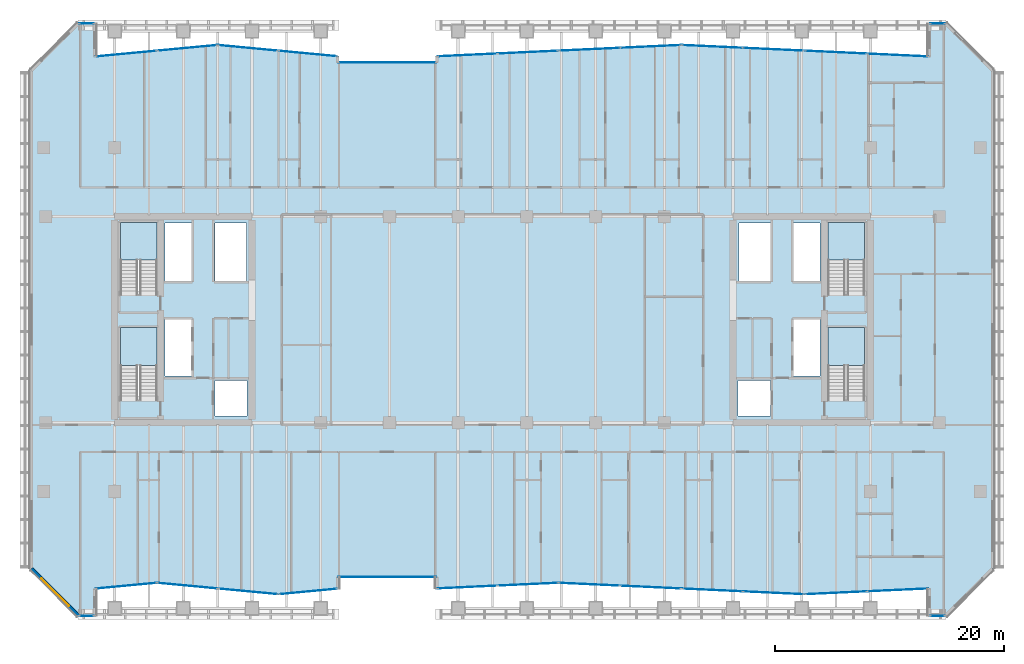
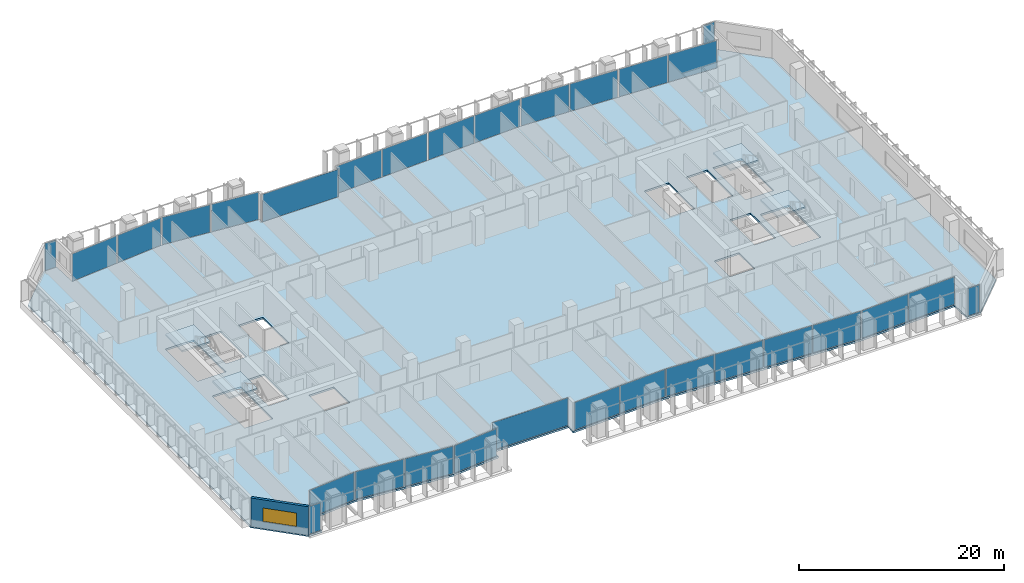
# One storey, part 19 of 32: 30 plates, 5 slabs, 1 wall, 1 window, 1 opening, 26 elements without a shape of their own.
"""IFC4 building model written with IfcOpenShell, lengths in metres."""

import ifcopenshell
import ifcopenshell.guid

model = None  # the IFC model being written
_history = None  # IfcOwnerHistory: only IFC2X3 demands one
_inside = {}  # id of a spatial element -> (the spatial element, [elements in it])
_under = {}  # id of a project, library or spatial element -> (it, [spatial elements below it])
_declared = {}  # id of a project -> (the project, [libraries it declares])
_typed = {}  # id of a type object -> (the type object, [elements of that type])
_made_of = {}  # id of a material, layer set ... -> (it, [elements and type objects made of it])


def new_model(schema):
    """Start an empty IFC model of exactly this schema.

    Asked for "IFC4X3", IfcOpenShell would pick the latest addendum, in which some entities
    have other attributes; the version numbers below select the first issue.
    IFC2X3 requires an IfcOwnerHistory on every rooted entity: one is made here for all.
    """
    global model, _history
    if schema == "IFC4X3":
        model = ifcopenshell.file(schema_version=(4, 3, 0, 0))
    else:
        model = ifcopenshell.file(schema=schema)
    _inside.clear()
    _under.clear()
    _declared.clear()
    _typed.clear()
    _made_of.clear()
    _history = None
    if model.schema == "IFC2X3":
        org = make("IfcOrganization", Name="unknown")
        user = make(
            "IfcPersonAndOrganization",
            ThePerson=make("IfcPerson", FamilyName="unknown"),
            TheOrganization=org,
        )
        app = make(
            "IfcApplication",
            ApplicationDeveloper=org,
            Version="unknown",
            ApplicationFullName="unknown",
            ApplicationIdentifier="unknown",
        )
        _history = make(
            "IfcOwnerHistory",
            OwningUser=user,
            OwningApplication=app,
            ChangeAction="ADDED",
            CreationDate=0,
        )
    return model


def make(cls, **values):
    """One entity of the class cls with the attributes given. An attribute that is None is left unset."""
    return model.create_entity(
        cls, **{name: value for name, value in values.items() if value is not None}
    )


def rooted(cls, **values):
    """An entity with a GlobalId (a new one), such as an element, a storey or a relation."""
    return make(cls, GlobalId=ifcopenshell.guid.new(), OwnerHistory=_history, **values)


def si_unit(unit_type, name, prefix=None):
    """IfcSIUnit, for example si_unit("LENGTHUNIT", "METRE", prefix="MILLI")."""
    return make("IfcSIUnit", UnitType=unit_type, Prefix=prefix, Name=name)


def assignment(units):
    """IfcUnitAssignment: the units of a project."""
    return None if units is None else make("IfcUnitAssignment", Units=units)


def point(xyz):
    """IfcCartesianPoint."""
    return None if xyz is None else make("IfcCartesianPoint", Coordinates=xyz)


def direction(xyz):
    """IfcDirection."""
    return None if xyz is None else make("IfcDirection", DirectionRatios=xyz)


def frame(location, z_axis=None, x_axis=None):
    """IfcAxis2Placement3D, a coordinate frame: its origin and axes. An axis left out is left unset."""
    return make(
        "IfcAxis2Placement3D",
        Location=point(location),
        Axis=direction(z_axis),
        RefDirection=direction(x_axis),
    )


def frame_2d(location, x_axis=None):
    """IfcAxis2Placement2D, a coordinate frame in the plane: its origin and x axis."""
    return make(
        "IfcAxis2Placement2D", Location=point(location), RefDirection=direction(x_axis)
    )


def origin():
    """The frame at (0, 0, 0) with its axes left unset."""
    return frame((0.0, 0.0, 0.0))


def origin_2d():
    """The frame at (0, 0) in the plane with its x axis left unset."""
    return frame_2d((0.0, 0.0))


def place(relative_to, where):
    """IfcLocalPlacement: puts the frame where relative to a parent placement (None: the world)."""
    return make(
        "IfcLocalPlacement", PlacementRelTo=relative_to, RelativePlacement=where
    )


def context(
    kind, dimensions, precision=None, world=None, true_north=None, identifier=None
):
    """IfcGeometricRepresentationContext, for example the 3D "Model" context."""
    return make(
        "IfcGeometricRepresentationContext",
        ContextIdentifier=identifier,
        ContextType=kind,
        CoordinateSpaceDimension=dimensions,
        Precision=precision,
        WorldCoordinateSystem=world,
        TrueNorth=true_north,
    )


def subcontext(parent, identifier, kind, view, scale=None):
    """IfcGeometricRepresentationSubContext, for example "Body" below "Model"."""
    return make(
        "IfcGeometricRepresentationSubContext",
        ContextIdentifier=identifier,
        ContextType=kind,
        ParentContext=parent,
        TargetScale=scale,
        TargetView=view,
    )


def project(units=None, contexts=None):
    """IfcProject with its units and contexts."""
    return rooted(
        "IfcProject",
        Name="project",
        RepresentationContexts=contexts,
        UnitsInContext=assignment(units),
    )


def spatial(cls, under=None, at=None, **own):
    """A site, building, storey or space (cls), placed at a placement, below another one or the project."""
    s = rooted(cls, ObjectPlacement=at, **own)
    if under is not None:
        _under.setdefault(under.id(), (under, []))[1].append(s)
    return s


def polyline(points):
    """IfcPolyline through the points."""
    return make("IfcPolyline", Points=[point(p) for p in points])


def profile(cls, at=None, kind="AREA", **sizes):
    """A parametric profile (cls). Its sizes go by their IFC names, for example OverallWidth=200.0."""
    return make(cls, ProfileType=kind, Position=at, **sizes)


def rectangle(**sizes):
    """IfcRectangleProfileDef."""
    return profile("IfcRectangleProfileDef", **sizes)


def outline(outer, holes=None, kind="AREA"):
    """IfcArbitraryClosedProfileDef: a profile drawn as a closed curve; with holes, ...WithVoids."""
    if holes is None:
        return make("IfcArbitraryClosedProfileDef", ProfileType=kind, OuterCurve=outer)
    return make(
        "IfcArbitraryProfileDefWithVoids",
        ProfileType=kind,
        OuterCurve=outer,
        InnerCurves=holes,
    )


def extrude(swept, where, along, depth):
    """IfcExtrudedAreaSolid: the profile swept, set in the frame where, extruded along a direction by depth."""
    return make(
        "IfcExtrudedAreaSolid",
        SweptArea=swept,
        Position=where,
        ExtrudedDirection=direction(along),
        Depth=depth,
    )


def shape(context_of_items, identifier, shape_type, items):
    """IfcShapeRepresentation: the items that make up one representation, for example the "Body"."""
    return make(
        "IfcShapeRepresentation",
        ContextOfItems=context_of_items,
        RepresentationIdentifier=identifier,
        RepresentationType=shape_type,
        Items=items,
    )


def material(Name=None, Category=None):
    """IfcMaterial."""
    return make("IfcMaterial", Name=Name, Category=Category)


def layer(
    of_material, thickness, ventilated=None, Name=None, Category=None, Priority=None
):
    """IfcMaterialLayer: one layer of a wall or slab, of a material (None: an air gap)."""
    return make(
        "IfcMaterialLayer",
        Material=of_material,
        LayerThickness=thickness,
        IsVentilated=ventilated,
        Name=Name,
        Category=Category,
        Priority=Priority,
    )


def layer_set(layers, Name=None):
    """IfcMaterialLayerSet."""
    return make("IfcMaterialLayerSet", MaterialLayers=layers, LayerSetName=Name)


def made_of(thing, what):
    """Note that an element or type object is made of a material, layer set ...; save() writes the relation."""
    if what is not None:
        _made_of.setdefault(what.id(), (what, []))[1].append(thing)
    return thing


def type_object(cls, material=None, **own):
    """A type object (cls), such as IfcWallType, which elements share."""
    return made_of(rooted(cls, **own), material)


def element(
    cls,
    number,
    at=None,
    inside=None,
    cuts=None,
    type_object=None,
    material=None,
    context=None,
    identifier="Body",
    shape_type=None,
    held_by="IfcProductDefinitionShape",
    body=None,
    shapes=None,
    **own,
):
    """One element of the class cls, such as IfcWall. Its Tag is "e" and its number.

    at: its placement. inside: the storey or other place that contains it. cuts: it is an
    opening in that element (IfcRelVoidsElement). A single representation is given by context,
    identifier, shape_type and body (its items); several are given by shapes. held_by: the class
    of the entity that holds the representations. save() writes the other relations.
    """
    e = rooted(cls, Tag="e%d" % number, ObjectPlacement=at, **own)
    if body is not None:
        shapes = [shape(context, identifier, shape_type, body)]
    if shapes is not None:
        e.Representation = make(held_by, Representations=shapes)
    if inside is not None:
        _inside.setdefault(inside.id(), (inside, []))[1].append(e)
    if cuts is not None:
        rooted(
            "IfcRelVoidsElement", RelatingBuildingElement=cuts, RelatedOpeningElement=e
        )
    if type_object is not None:
        _typed.setdefault(type_object.id(), (type_object, []))[1].append(e)
    return made_of(e, material)


def fill(opening, filler):
    """IfcRelFillsElement: the door or window that sits in an opening."""
    return rooted(
        "IfcRelFillsElement",
        RelatingOpeningElement=opening,
        RelatedBuildingElement=filler,
    )


def aggregate(whole, parts):
    """IfcRelAggregates: a whole, such as a stair, and the parts it consists of."""
    return rooted("IfcRelAggregates", RelatingObject=whole, RelatedObjects=parts)


def save(model, path):
    """Write the relations noted so far, then the file.

    IfcRelAggregates (storeys below a building ...), IfcRelContainedInSpatialStructure (elements
    in a storey), IfcRelDefinesByType, IfcRelAssociatesMaterial and IfcRelDeclares: one each for
    every whole, place, type object, material and project.
    """
    for whole, parts in _under.values():
        aggregate(whole, parts)
    for where, things in _inside.values():
        rooted(
            "IfcRelContainedInSpatialStructure",
            RelatedElements=things,
            RelatingStructure=where,
        )
    for kind, things in _typed.values():
        rooted("IfcRelDefinesByType", RelatedObjects=things, RelatingType=kind)
    for what, things in _made_of.values():
        rooted("IfcRelAssociatesMaterial", RelatedObjects=things, RelatingMaterial=what)
    for by, libraries in _declared.values():
        rooted("IfcRelDeclares", RelatingContext=by, RelatedDefinitions=libraries)
    model.write(path)


model = new_model("IFC4")

# Units and contexts
model_context = context("Model", 3, precision=1e-05, world=origin(), true_north=direction((0.0, 1.0)))
body_context = subcontext(model_context, "Body", "Model", "MODEL_VIEW")
ifc_project = project(units=[si_unit("LENGTHUNIT", "METRE"), si_unit("AREAUNIT", "SQUARE_METRE"), si_unit("VOLUMEUNIT", "CUBIC_METRE"), si_unit("PLANEANGLEUNIT", "RADIAN"), si_unit("MASSUNIT", "GRAM", prefix="KILO")], contexts=[model_context])

# Site, building, storey
site_placement = place(None, origin())
site = spatial("IfcSite", under=ifc_project, at=site_placement, CompositionType="ELEMENT")
building_placement = place(site_placement, origin())
building = spatial("IfcBuilding", under=site, at=building_placement, Name="Tanjung Sevakor Pilgrim Tower", CompositionType="ELEMENT")
storey_placement = place(building_placement, frame((0.0, 0.0, 62.3701171875)))
storey = spatial("IfcBuildingStorey", under=building, at=storey_placement, Name="L17", CompositionType="ELEMENT", Elevation=62.3701171875)

# Stair, slab
ifc_material_1 = material(Name="Concrete C40/50", Category="concrete")
stair_type = type_object("IfcStairType", Name="STAIR-ST-CR150", PredefinedType="HALF_TURN_STAIR", material=ifc_material_1)
stair_1_placement = place(storey_placement, origin())
stair_1 = element("IfcStair", 1, at=stair_1_placement, inside=storey, type_object=stair_type, Name="L17 West Core Exit Stair 1", PredefinedType="HALF_TURN_STAIR")
ifc_material_2 = material(Name="Concrete C40/50", Category="concrete")
ifc_layer_1 = layer(ifc_material_2, 0.199951171875)
ifc_layer_set_1 = layer_set([ifc_layer_1], Name="SL-LAND-200")
slab_type_1 = type_object("IfcSlabType", Name="SL-LAND-200", PredefinedType="LANDING", material=ifc_layer_set_1)
slab_1_placement = place(storey_placement, frame((0.0, 0.0, 1.614990234375)))
slab_1 = element("IfcSlab", 2, at=slab_1_placement, type_object=slab_type_1, Name="TS-W1 landing 1", PredefinedType="LANDING", context=body_context, shape_type="SweptSolid", body=[
    extrude(outline(polyline([(27.699951171875, 29.60009765625), (27.699951171875, 32.89990234375), (24.5, 32.89990234375), (24.5, 29.60009765625), (27.699951171875, 29.60009765625)])), origin(), (0.0, 0.0, 1.0), 0.199951171875),
])
aggregate(stair_1, [slab_1])

stair_2_placement = place(storey_placement, origin())
stair_2 = element("IfcStair", 3, at=stair_2_placement, inside=storey, type_object=stair_type, Name="L17 West Core Exit Stair 2", PredefinedType="HALF_TURN_STAIR")
slab_2_placement = place(storey_placement, frame((0.0, 0.0, 1.614990234375)))
slab_2 = element("IfcSlab", 4, at=slab_2_placement, type_object=slab_type_1, Name="TS-W2 landing 1", PredefinedType="LANDING", context=body_context, shape_type="SweptSolid", body=[
    extrude(outline(polyline([(27.699951171875, 38.800048828125), (27.699951171875, 42.10009765625), (24.5, 42.10009765625), (24.5, 38.800048828125), (27.699951171875, 38.800048828125)])), origin(), (0.0, 0.0, 1.0), 0.199951171875),
])
aggregate(stair_2, [slab_2])

stair_3_placement = place(storey_placement, origin())
stair_3 = element("IfcStair", 5, at=stair_3_placement, inside=storey, type_object=stair_type, Name="L17 East Core Exit Stair 1", PredefinedType="HALF_TURN_STAIR")
slab_3_placement = place(storey_placement, frame((0.0, 0.0, 1.614990234375)))
slab_3 = element("IfcSlab", 6, at=slab_3_placement, type_object=slab_type_1, Name="TS-E1 landing 1", PredefinedType="LANDING", context=body_context, shape_type="SweptSolid", body=[
    extrude(outline(polyline([(89.5, 29.60009765625), (89.5, 32.89990234375), (86.300048828125, 32.89990234375), (86.300048828125, 29.60009765625), (89.5, 29.60009765625)])), origin(), (0.0, 0.0, 1.0), 0.199951171875),
])
aggregate(stair_3, [slab_3])

stair_4_placement = place(storey_placement, origin())
stair_4 = element("IfcStair", 7, at=stair_4_placement, inside=storey, type_object=stair_type, Name="L17 East Core Exit Stair 2", PredefinedType="HALF_TURN_STAIR")
slab_4_placement = place(storey_placement, frame((0.0, 0.0, 1.614990234375)))
slab_4 = element("IfcSlab", 8, at=slab_4_placement, type_object=slab_type_1, Name="TS-E2 landing 1", PredefinedType="LANDING", context=body_context, shape_type="SweptSolid", body=[
    extrude(outline(polyline([(89.5, 38.800048828125), (89.5, 42.10009765625), (86.300048828125, 42.10009765625), (86.300048828125, 38.800048828125), (89.5, 38.800048828125)])), origin(), (0.0, 0.0, 1.0), 0.199951171875),
])
aggregate(stair_4, [slab_4])

# Slab
ifc_material_3 = material(Name="Concrete C40/50", Category="concrete")
ifc_layer_2 = layer(ifc_material_3, 0.219970703125)
ifc_layer_set_2 = layer_set([ifc_layer_2], Name="SL-TWR-220")
slab_type_2 = type_object("IfcSlabType", Name="SL-TWR-220", PredefinedType="FLOOR", material=ifc_layer_set_2)
slab_5_placement = place(storey_placement, frame((0.0, 0.0, -0.22021484375)))
element("IfcSlab", 9, at=slab_5_placement, inside=storey, type_object=slab_type_2, Name="L17 Floor Slab MAIN", PredefinedType="FLOOR", context=body_context, shape_type="SweptSolid", body=[
    extrude(outline(polyline([(20.846923828125, 7.679931640625), (22.320068359375, 7.679931640625), (22.39990234375, 10.06005859375), (27.699951171875, 10.56005859375), (33.0, 10.06005859375), (38.300048828125, 9.56005859375), (43.60009765625, 10.06005859375), (43.52001953125, 11.080078125), (52.080078125, 11.080078125), (52.0, 10.06005859375), (62.75, 10.56005859375), (73.5, 10.06005859375), (84.25, 9.56005859375), (95.0, 10.06005859375), (95.080078125, 7.679931640625), (96.552978515625, 7.679931640625), (100.719970703125, 11.846923828125), (100.719970703125, 55.35302734375), (96.552978515625, 59.52001953125), (95.080078125, 59.52001953125), (95.0, 56.639892578125), (84.25, 57.139892578125), (73.5, 57.639892578125), (62.75, 57.139892578125), (52.0, 56.639892578125), (52.080078125, 56.1201171875), (43.52001953125, 56.1201171875), (43.60009765625, 56.639892578125), (38.300048828125, 57.139892578125), (33.0, 57.639892578125), (27.699951171875, 57.139892578125), (22.39990234375, 56.639892578125), (22.320068359375, 59.52001953125), (20.846923828125, 59.52001953125), (16.679931640625, 55.35302734375), (16.679931640625, 11.846923828125), (20.846923828125, 7.679931640625)]), holes=[polyline([(27.699951171875, 26.60009765625), (27.699951171875, 32.89990234375), (24.5, 32.89990234375), (24.5, 26.60009765625), (27.699951171875, 26.60009765625)]), polyline([(27.699951171875, 35.800048828125), (27.699951171875, 42.10009765625), (24.5, 42.10009765625), (24.5, 35.800048828125), (27.699951171875, 35.800048828125)]), polyline([(89.5, 26.60009765625), (89.5, 32.89990234375), (86.300048828125, 32.89990234375), (86.300048828125, 26.60009765625), (89.5, 26.60009765625)]), polyline([(89.5, 35.800048828125), (89.5, 42.10009765625), (86.300048828125, 42.10009765625), (86.300048828125, 35.800048828125), (89.5, 35.800048828125)]), polyline([(32.75, 25.199951171875), (35.550048828125, 25.199951171875), (35.550048828125, 28.300048828125), (32.75, 28.300048828125), (32.75, 25.199951171875)]), polyline([(28.39990234375, 28.699951171875), (30.75, 28.699951171875), (30.75, 33.60009765625), (28.39990234375, 33.60009765625), (28.39990234375, 28.699951171875)]), polyline([(28.39990234375, 37.0), (30.75, 37.0), (30.75, 42.050048828125), (28.39990234375, 42.050048828125), (28.39990234375, 37.0)]), polyline([(32.75, 37.0), (35.5, 37.0), (35.5, 42.050048828125), (32.75, 42.050048828125), (32.75, 37.0)]), polyline([(78.449951171875, 25.199951171875), (81.25, 25.199951171875), (81.25, 28.300048828125), (78.449951171875, 28.300048828125), (78.449951171875, 25.199951171875)]), polyline([(83.25, 28.699951171875), (85.60009765625, 28.699951171875), (85.60009765625, 33.60009765625), (83.25, 33.60009765625), (83.25, 28.699951171875)]), polyline([(83.25, 37.0), (85.60009765625, 37.0), (85.60009765625, 42.050048828125), (83.25, 42.050048828125), (83.25, 37.0)]), polyline([(78.5, 37.0), (81.25, 37.0), (81.25, 42.050048828125), (78.5, 42.050048828125), (78.5, 37.0)])]), origin(), (0.0, 0.0, 1.0), 0.22021484375),
])

# Curtain wall, plate
ifc_material_4 = material(Name="Aluminium 6063-T6 and Low-E Glass", Category="aluminium")
ifc_layer_3 = layer(ifc_material_4, 0.179931640625)
ifc_layer_set_3 = layer_set([ifc_layer_3], Name="CW-SYS-CLEFT")
curtain_wall_type_1 = type_object("IfcCurtainWallType", Name="CW-SYS-CLEFT", PredefinedType="NOTDEFINED", material=ifc_layer_set_3)
curtain_wall_1_placement = place(storey_placement, origin())
curtain_wall_1 = element("IfcCurtainWall", 10, at=curtain_wall_1_placement, inside=storey, type_object=curtain_wall_type_1, Name="L17 Curtain Wall CW-CLF-L17-7", PredefinedType="NOTDEFINED")
ifc_material_5 = material(Name="Laminated Low-E Double Glazing", Category="glass")
ifc_layer_4 = layer(ifc_material_5, 0.028076171875)
ifc_layer_set_4 = layer_set([ifc_layer_4], Name="TYPE-CWP-GLZ1")
plate_type_1 = type_object("IfcPlateType", Name="TYPE-CWP-GLZ1", PredefinedType="CURTAIN_PANEL", material=ifc_layer_set_4)
plate_1_placement = place(storey_placement, frame((47.800048828125, 11.139892578125, 0.06494140625), z_axis=(0.0, 0.0, 1.0), x_axis=(1.0, 0.0, 0.0)))
plate_1 = element("IfcPlate", 11, at=plate_1_placement, type_object=plate_type_1, Name="CW-CLF panel 1.1", PredefinedType="CURTAIN_PANEL", context=body_context, shape_type="SweptSolid", body=[
    extrude(rectangle(XDim=8.530029296875, YDim=0.028076171875, at=origin_2d()), origin(), (0.0, 0.0, 1.0), 3.280029296875),
])
aggregate(curtain_wall_1, [plate_1])

curtain_wall_2_placement = place(storey_placement, origin())
curtain_wall_2 = element("IfcCurtainWall", 12, at=curtain_wall_2_placement, inside=storey, type_object=curtain_wall_type_1, Name="L17 Curtain Wall CW-CLF-L17-25", PredefinedType="NOTDEFINED")
plate_2_placement = place(storey_placement, frame((47.800048828125, 56.06005859375, 0.06494140625), z_axis=(0.0, 0.0, 1.0), x_axis=(-1.0, 0.0, 0.0)))
plate_2 = element("IfcPlate", 13, at=plate_2_placement, type_object=plate_type_1, Name="CW-CLF panel 1.1", PredefinedType="CURTAIN_PANEL", context=body_context, shape_type="SweptSolid", body=[
    extrude(rectangle(XDim=8.530029296875, YDim=0.028076171875, at=origin_2d()), origin(), (0.0, 0.0, 1.0), 3.280029296875),
])
aggregate(curtain_wall_2, [plate_2])

ifc_material_6 = material(Name="Aluminium 6063-T6 and Low-E Glass", Category="aluminium")
ifc_layer_5 = layer(ifc_material_6, 0.199951171875)
ifc_layer_set_5 = layer_set([ifc_layer_5], Name="CW-SYS-PRAY")
curtain_wall_type_2 = type_object("IfcCurtainWallType", Name="CW-SYS-PRAY", PredefinedType="NOTDEFINED", material=ifc_layer_set_5)
curtain_wall_3_placement = place(storey_placement, origin())
curtain_wall_3 = element("IfcCurtainWall", 14, at=curtain_wall_3_placement, inside=storey, type_object=curtain_wall_type_2, Name="L17 Curtain Wall CW-PRY-L17-0", PredefinedType="NOTDEFINED")
ifc_material_7 = material(Name="Solar-Control Low-E Acoustic Glazing", Category="glass")
ifc_layer_6 = layer(ifc_material_7, 0.031982421875)
ifc_layer_set_6 = layer_set([ifc_layer_6], Name="TYPE-CWP-GLZ2")
plate_type_2 = type_object("IfcPlateType", Name="TYPE-CWP-GLZ2", PredefinedType="CURTAIN_PANEL", material=ifc_layer_set_6)
plate_3_placement = place(storey_placement, frame((21.55908203125, 7.739990234375, 0.07470703125), z_axis=(0.0, 0.0, 1.0), x_axis=(1.0, 0.0, 0.0)))
plate_3 = element("IfcPlate", 15, at=plate_3_placement, type_object=plate_type_2, Name="CW-PRY panel 1.1", PredefinedType="CURTAIN_PANEL", context=body_context, shape_type="SweptSolid", body=[
    extrude(rectangle(XDim=1.251953125, YDim=0.031982421875, at=origin_2d()), origin(), (0.0, 0.0, 1.0), 3.260009765625),
])
aggregate(curtain_wall_3, [plate_3])

curtain_wall_4_placement = place(storey_placement, origin())
curtain_wall_4 = element("IfcCurtainWall", 16, at=curtain_wall_4_placement, inside=storey, type_object=curtain_wall_type_2, Name="L17 Curtain Wall CW-PRY-L17-2", PredefinedType="NOTDEFINED")
plate_4_placement = place(storey_placement, frame((24.97998046875, 10.364013671875, 0.07470703125), z_axis=(0.0, 0.0, 1.0), x_axis=(0.995579631867, 0.093921225565, 0.0)))
plate_4 = element("IfcPlate", 17, at=plate_4_placement, type_object=plate_type_2, Name="CW-PRY panel 1.1", PredefinedType="CURTAIN_PANEL", context=body_context, shape_type="SweptSolid", body=[
    extrude(rectangle(XDim=5.314208984375, YDim=0.031982421875, at=origin_2d()), origin(), (0.0, 0.0, 1.0), 3.260009765625),
])
aggregate(curtain_wall_4, [plate_4])

curtain_wall_5_placement = place(storey_placement, origin())
curtain_wall_5 = element("IfcCurtainWall", 18, at=curtain_wall_5_placement, inside=storey, type_object=curtain_wall_type_2, Name="L17 Curtain Wall CW-PRY-L17-3", PredefinedType="NOTDEFINED")
plate_5_placement = place(storey_placement, frame((30.3564453125, 10.3701171875, 0.07470703125), z_axis=(0.0, 0.0, 1.0), x_axis=(0.995580130826, -0.09391593637, 0.0)))
plate_5 = element("IfcPlate", 19, at=plate_5_placement, type_object=plate_type_2, Name="CW-PRY panel 1.1", PredefinedType="CURTAIN_PANEL", context=body_context, shape_type="SweptSolid", body=[
    extrude(rectangle(XDim=5.186767578125, YDim=0.031982421875, at=origin_2d()), origin(), (0.0, 0.0, 1.0), 3.260009765625),
])
aggregate(curtain_wall_5, [plate_5])

curtain_wall_6_placement = place(storey_placement, origin())
curtain_wall_6 = element("IfcCurtainWall", 20, at=curtain_wall_6_placement, inside=storey, type_object=curtain_wall_type_2, Name="L17 Curtain Wall CW-PRY-L17-4", PredefinedType="NOTDEFINED")
plate_6_placement = place(storey_placement, frame((35.656494140625, 9.8701171875, 0.07470703125), z_axis=(0.0, 0.0, 1.0), x_axis=(0.995578871446, -0.093929285798, 0.0)))
plate_6 = element("IfcPlate", 21, at=plate_6_placement, type_object=plate_type_2, Name="CW-PRY panel 1.1", PredefinedType="CURTAIN_PANEL", context=body_context, shape_type="SweptSolid", body=[
    extrude(rectangle(XDim=5.160400390625, YDim=0.031982421875, at=origin_2d()), origin(), (0.0, 0.0, 1.0), 3.260009765625),
])
aggregate(curtain_wall_6, [plate_6])

curtain_wall_7_placement = place(storey_placement, origin())
curtain_wall_7 = element("IfcCurtainWall", 22, at=curtain_wall_7_placement, inside=storey, type_object=curtain_wall_type_2, Name="L17 Curtain Wall CW-PRY-L17-5", PredefinedType="NOTDEFINED")
plate_7_placement = place(storey_placement, frame((40.8798828125, 9.864013671875, 0.07470703125), z_axis=(0.0, 0.0, 1.0), x_axis=(0.995579366551, 0.09392403791, 0.0)))
plate_7 = element("IfcPlate", 23, at=plate_7_placement, type_object=plate_type_2, Name="CW-PRY panel 1.1", PredefinedType="CURTAIN_PANEL", context=body_context, shape_type="SweptSolid", body=[
    extrude(rectangle(XDim=5.032958984375, YDim=0.031982421875, at=origin_2d()), origin(), (0.0, 0.0, 1.0), 3.260009765625),
])
aggregate(curtain_wall_7, [plate_7])

# Curtain wall, plates
curtain_wall_8_placement = place(storey_placement, origin())
curtain_wall_8 = element("IfcCurtainWall", 24, at=curtain_wall_8_placement, inside=storey, type_object=curtain_wall_type_2, Name="L17 Curtain Wall CW-PRY-L17-9", PredefinedType="NOTDEFINED")
plate_8_placement = place(storey_placement, frame((54.811279296875, 10.2509765625, 0.07470703125), z_axis=(0.0, 0.0, 1.0), x_axis=(0.998920035269, 0.046462491741, 0.0)))
plate_8 = element("IfcPlate", 25, at=plate_8_placement, type_object=plate_type_2, Name="CW-PRY panel 1.1", PredefinedType="CURTAIN_PANEL", context=body_context, shape_type="SweptSolid", body=[
    extrude(rectangle(XDim=5.1982421875, YDim=0.031982421875, at=origin_2d()), origin(), (0.0, 0.0, 1.0), 3.260009765625),
])
plate_9_placement = place(storey_placement, frame((60.078857421875, 10.495849609375, 0.07470703125), z_axis=(0.0, 0.0, 1.0), x_axis=(0.998920035269, 0.046462491741, 0.0)))
plate_9 = element("IfcPlate", 26, at=plate_9_placement, type_object=plate_type_2, Name="CW-PRY panel 2.1", PredefinedType="CURTAIN_PANEL", context=body_context, shape_type="SweptSolid", body=[
    extrude(rectangle(XDim=5.1982421875, YDim=0.031982421875, at=origin_2d()), origin(), (0.0, 0.0, 1.0), 3.260009765625),
])
aggregate(curtain_wall_8, [plate_8, plate_9])

curtain_wall_9_placement = place(storey_placement, origin())
curtain_wall_9 = element("IfcCurtainWall", 27, at=curtain_wall_9_placement, inside=storey, type_object=curtain_wall_type_2, Name="L17 Curtain Wall CW-PRY-L17-10", PredefinedType="NOTDEFINED")
plate_10_placement = place(storey_placement, frame((65.457763671875, 10.494140625, 0.07470703125), z_axis=(0.0, 0.0, 1.0), x_axis=(0.998919665055, -0.046470450459, 0.0)))
plate_10 = element("IfcPlate", 28, at=plate_10_placement, type_object=plate_type_2, Name="CW-PRY panel 1.1", PredefinedType="CURTAIN_PANEL", context=body_context, shape_type="SweptSolid", body=[
    extrude(rectangle(XDim=5.271484375, YDim=0.031982421875, at=origin_2d()), origin(), (0.0, 0.0, 1.0), 3.260009765625),
])
plate_11_placement = place(storey_placement, frame((70.798583984375, 10.245849609375, 0.07470703125), z_axis=(0.0, 0.0, 1.0), x_axis=(0.998919665055, -0.046470450459, 0.0)))
plate_11 = element("IfcPlate", 29, at=plate_11_placement, type_object=plate_type_2, Name="CW-PRY panel 2.1", PredefinedType="CURTAIN_PANEL", context=body_context, shape_type="SweptSolid", body=[
    extrude(rectangle(XDim=5.271484375, YDim=0.031982421875, at=origin_2d()), origin(), (0.0, 0.0, 1.0), 3.260009765625),
])
aggregate(curtain_wall_9, [plate_10, plate_11])

curtain_wall_10_placement = place(storey_placement, origin())
curtain_wall_10 = element("IfcCurtainWall", 30, at=curtain_wall_10_placement, inside=storey, type_object=curtain_wall_type_2, Name="L17 Curtain Wall CW-PRY-L17-11", PredefinedType="NOTDEFINED")
plate_12_placement = place(storey_placement, frame((76.211181640625, 9.994140625, 0.07470703125), z_axis=(0.0, 0.0, 1.0), x_axis=(0.998920507529, -0.046452337274, 0.0)))
plate_12 = element("IfcPlate", 31, at=plate_12_placement, type_object=plate_type_2, Name="CW-PRY panel 1.1", PredefinedType="CURTAIN_PANEL", context=body_context, shape_type="SweptSolid", body=[
    extrude(rectangle(XDim=5.26513671875, YDim=0.031982421875, at=origin_2d()), origin(), (0.0, 0.0, 1.0), 3.260009765625),
])
plate_13_placement = place(storey_placement, frame((81.54541015625, 9.745849609375, 0.07470703125), z_axis=(0.0, 0.0, 1.0), x_axis=(0.998920507529, -0.046452337274, 0.0)))
plate_13 = element("IfcPlate", 32, at=plate_13_placement, type_object=plate_type_2, Name="CW-PRY panel 2.1", PredefinedType="CURTAIN_PANEL", context=body_context, shape_type="SweptSolid", body=[
    extrude(rectangle(XDim=5.26513671875, YDim=0.031982421875, at=origin_2d()), origin(), (0.0, 0.0, 1.0), 3.260009765625),
])
aggregate(curtain_wall_10, [plate_12, plate_13])

curtain_wall_11_placement = place(storey_placement, origin())
curtain_wall_11 = element("IfcCurtainWall", 33, at=curtain_wall_11_placement, inside=storey, type_object=curtain_wall_type_2, Name="L17 Curtain Wall CW-PRY-L17-12", PredefinedType="NOTDEFINED")
plate_14_placement = place(storey_placement, frame((86.9912109375, 9.747802734375, 0.07470703125), z_axis=(0.0, 0.0, 1.0), x_axis=(0.99892013558, 0.046460335048, 0.0)))
plate_14 = element("IfcPlate", 34, at=plate_14_placement, type_object=plate_type_2, Name="CW-PRY panel 1.1", PredefinedType="CURTAIN_PANEL", context=body_context, shape_type="SweptSolid", body=[
    extrude(rectangle(XDim=5.33837890625, YDim=0.031982421875, at=origin_2d()), origin(), (0.0, 0.0, 1.0), 3.260009765625),
])
plate_15_placement = place(storey_placement, frame((92.398681640625, 9.999267578125, 0.07470703125), z_axis=(0.0, 0.0, 1.0), x_axis=(0.99892013558, 0.046460335048, 0.0)))
plate_15 = element("IfcPlate", 35, at=plate_15_placement, type_object=plate_type_2, Name="CW-PRY panel 2.1", PredefinedType="CURTAIN_PANEL", context=body_context, shape_type="SweptSolid", body=[
    extrude(rectangle(XDim=5.33837890625, YDim=0.031982421875, at=origin_2d()), origin(), (0.0, 0.0, 1.0), 3.260009765625),
])
aggregate(curtain_wall_11, [plate_14, plate_15])

# Curtain wall, plate
curtain_wall_12_placement = place(storey_placement, origin())
curtain_wall_12 = element("IfcCurtainWall", 36, at=curtain_wall_12_placement, inside=storey, type_object=curtain_wall_type_2, Name="L17 Curtain Wall CW-PRY-L17-14", PredefinedType="NOTDEFINED")
plate_16_placement = place(storey_placement, frame((95.841064453125, 7.739990234375, 0.07470703125), z_axis=(0.0, 0.0, 1.0), x_axis=(1.0, 0.0, 0.0)))
plate_16 = element("IfcPlate", 37, at=plate_16_placement, type_object=plate_type_2, Name="CW-PRY panel 1.1", PredefinedType="CURTAIN_PANEL", context=body_context, shape_type="SweptSolid", body=[
    extrude(rectangle(XDim=1.251953125, YDim=0.031982421875, at=origin_2d()), origin(), (0.0, 0.0, 1.0), 3.260009765625),
])
aggregate(curtain_wall_12, [plate_16])

curtain_wall_13_placement = place(storey_placement, origin())
curtain_wall_13 = element("IfcCurtainWall", 38, at=curtain_wall_13_placement, inside=storey, type_object=curtain_wall_type_2, Name="L17 Curtain Wall CW-PRY-L17-18", PredefinedType="NOTDEFINED")
plate_17_placement = place(storey_placement, frame((95.841064453125, 59.4599609375, 0.07470703125), z_axis=(0.0, 0.0, 1.0), x_axis=(-1.0, 0.0, 0.0)))
plate_17 = element("IfcPlate", 39, at=plate_17_placement, type_object=plate_type_2, Name="CW-PRY panel 1.1", PredefinedType="CURTAIN_PANEL", context=body_context, shape_type="SweptSolid", body=[
    extrude(rectangle(XDim=1.251953125, YDim=0.031982421875, at=origin_2d()), origin(), (0.0, 0.0, 1.0), 3.260009765625),
])
aggregate(curtain_wall_13, [plate_17])

# Curtain wall, plates
curtain_wall_14_placement = place(storey_placement, origin())
curtain_wall_14 = element("IfcCurtainWall", 40, at=curtain_wall_14_placement, inside=storey, type_object=curtain_wall_type_2, Name="L17 Curtain Wall CW-PRY-L17-20", PredefinedType="NOTDEFINED")
plate_18_placement = place(storey_placement, frame((92.397216796875, 56.700927734375, 0.07470703125), z_axis=(0.0, 0.0, 1.0), x_axis=(-0.998919719947, 0.046469270496, 0.0)))
plate_18 = element("IfcPlate", 41, at=plate_18_placement, type_object=plate_type_2, Name="CW-PRY panel 1.1", PredefinedType="CURTAIN_PANEL", context=body_context, shape_type="SweptSolid", body=[
    extrude(rectangle(XDim=5.341552734375, YDim=0.031982421875, at=origin_2d()), origin(), (0.0, 0.0, 1.0), 3.260009765625),
])
plate_19_placement = place(storey_placement, frame((86.986328125, 56.95263671875, 0.07470703125), z_axis=(0.0, 0.0, 1.0), x_axis=(-0.998919719947, 0.046469270496, 0.0)))
plate_19 = element("IfcPlate", 42, at=plate_19_placement, type_object=plate_type_2, Name="CW-PRY panel 2.1", PredefinedType="CURTAIN_PANEL", context=body_context, shape_type="SweptSolid", body=[
    extrude(rectangle(XDim=5.341552734375, YDim=0.031982421875, at=origin_2d()), origin(), (0.0, 0.0, 1.0), 3.260009765625),
])
aggregate(curtain_wall_14, [plate_18, plate_19])

curtain_wall_15_placement = place(storey_placement, origin())
curtain_wall_15 = element("IfcCurtainWall", 43, at=curtain_wall_15_placement, inside=storey, type_object=curtain_wall_type_2, Name="L17 Curtain Wall CW-PRY-L17-21", PredefinedType="NOTDEFINED")
plate_20_placement = place(storey_placement, frame((81.538818359375, 57.2060546875, 0.07470703125), z_axis=(0.0, 0.0, 1.0), x_axis=(-0.998920507529, 0.046452337274, 0.0)))
plate_20 = element("IfcPlate", 44, at=plate_20_placement, type_object=plate_type_2, Name="CW-PRY panel 1.1", PredefinedType="CURTAIN_PANEL", context=body_context, shape_type="SweptSolid", body=[
    extrude(rectangle(XDim=5.26513671875, YDim=0.031982421875, at=origin_2d()), origin(), (0.0, 0.0, 1.0), 3.260009765625),
])
plate_21_placement = place(storey_placement, frame((76.20458984375, 57.4541015625, 0.07470703125), z_axis=(0.0, 0.0, 1.0), x_axis=(-0.998920507529, 0.046452337274, 0.0)))
plate_21 = element("IfcPlate", 45, at=plate_21_placement, type_object=plate_type_2, Name="CW-PRY panel 2.1", PredefinedType="CURTAIN_PANEL", context=body_context, shape_type="SweptSolid", body=[
    extrude(rectangle(XDim=5.26513671875, YDim=0.031982421875, at=origin_2d()), origin(), (0.0, 0.0, 1.0), 3.260009765625),
])
aggregate(curtain_wall_15, [plate_20, plate_21])

curtain_wall_16_placement = place(storey_placement, origin())
curtain_wall_16 = element("IfcCurtainWall", 46, at=curtain_wall_16_placement, inside=storey, type_object=curtain_wall_type_2, Name="L17 Curtain Wall CW-PRY-L17-22", PredefinedType="NOTDEFINED")
plate_22_placement = place(storey_placement, frame((70.79541015625, 57.4541015625, 0.07470703125), z_axis=(0.0, 0.0, 1.0), x_axis=(-0.998920507529, -0.046452337274, 0.0)))
plate_22 = element("IfcPlate", 47, at=plate_22_placement, type_object=plate_type_2, Name="CW-PRY panel 1.1", PredefinedType="CURTAIN_PANEL", context=body_context, shape_type="SweptSolid", body=[
    extrude(rectangle(XDim=5.26513671875, YDim=0.031982421875, at=origin_2d()), origin(), (0.0, 0.0, 1.0), 3.260009765625),
])
plate_23_placement = place(storey_placement, frame((65.461181640625, 57.2060546875, 0.07470703125), z_axis=(0.0, 0.0, 1.0), x_axis=(-0.998920507529, -0.046452337274, 0.0)))
plate_23 = element("IfcPlate", 48, at=plate_23_placement, type_object=plate_type_2, Name="CW-PRY panel 2.1", PredefinedType="CURTAIN_PANEL", context=body_context, shape_type="SweptSolid", body=[
    extrude(rectangle(XDim=5.26513671875, YDim=0.031982421875, at=origin_2d()), origin(), (0.0, 0.0, 1.0), 3.260009765625),
])
aggregate(curtain_wall_16, [plate_22, plate_23])

curtain_wall_17_placement = place(storey_placement, origin())
curtain_wall_17 = element("IfcCurtainWall", 49, at=curtain_wall_17_placement, inside=storey, type_object=curtain_wall_type_2, Name="L17 Curtain Wall CW-PRY-L17-23", PredefinedType="NOTDEFINED")
plate_24_placement = place(storey_placement, frame((60.083740234375, 56.955810546875, 0.07470703125), z_axis=(0.0, 0.0, 1.0), x_axis=(-0.998920045455, -0.04646227273, 0.0)))
plate_24 = element("IfcPlate", 50, at=plate_24_placement, type_object=plate_type_2, Name="CW-PRY panel 1.1", PredefinedType="CURTAIN_PANEL", context=body_context, shape_type="SweptSolid", body=[
    extrude(rectangle(XDim=5.201416015625, YDim=0.031982421875, at=origin_2d()), origin(), (0.0, 0.0, 1.0), 3.260009765625),
])
plate_25_placement = place(storey_placement, frame((54.812744140625, 56.710693359375, 0.07470703125), z_axis=(0.0, 0.0, 1.0), x_axis=(-0.998920045455, -0.04646227273, 0.0)))
plate_25 = element("IfcPlate", 51, at=plate_25_placement, type_object=plate_type_2, Name="CW-PRY panel 2.1", PredefinedType="CURTAIN_PANEL", context=body_context, shape_type="SweptSolid", body=[
    extrude(rectangle(XDim=5.201416015625, YDim=0.031982421875, at=origin_2d()), origin(), (0.0, 0.0, 1.0), 3.260009765625),
])
aggregate(curtain_wall_17, [plate_24, plate_25])

# Curtain wall, plate
curtain_wall_18_placement = place(storey_placement, origin())
curtain_wall_18 = element("IfcCurtainWall", 52, at=curtain_wall_18_placement, inside=storey, type_object=curtain_wall_type_2, Name="L17 Curtain Wall CW-PRY-L17-27", PredefinedType="NOTDEFINED")
plate_26_placement = place(storey_placement, frame((40.87353515625, 56.836669921875, 0.07470703125), z_axis=(0.0, 0.0, 1.0), x_axis=(-0.995580012015, 0.093917195845, 0.0)))
plate_26 = element("IfcPlate", 53, at=plate_26_placement, type_object=plate_type_2, Name="CW-PRY panel 1.1", PredefinedType="CURTAIN_PANEL", context=body_context, shape_type="SweptSolid", body=[
    extrude(rectangle(XDim=5.046142578125, YDim=0.031982421875, at=origin_2d()), origin(), (0.0, 0.0, 1.0), 3.260009765625),
])
aggregate(curtain_wall_18, [plate_26])

curtain_wall_19_placement = place(storey_placement, origin())
curtain_wall_19 = element("IfcCurtainWall", 54, at=curtain_wall_19_placement, inside=storey, type_object=curtain_wall_type_2, Name="L17 Curtain Wall CW-PRY-L17-28", PredefinedType="NOTDEFINED")
plate_27_placement = place(storey_placement, frame((35.6435546875, 57.330078125, 0.07470703125), z_axis=(0.0, 0.0, 1.0), x_axis=(-0.995578871446, 0.093929285798, 0.0)))
plate_27 = element("IfcPlate", 55, at=plate_27_placement, type_object=plate_type_2, Name="CW-PRY panel 1.1", PredefinedType="CURTAIN_PANEL", context=body_context, shape_type="SweptSolid", body=[
    extrude(rectangle(XDim=5.160400390625, YDim=0.031982421875, at=origin_2d()), origin(), (0.0, 0.0, 1.0), 3.260009765625),
])
aggregate(curtain_wall_19, [plate_27])

curtain_wall_20_placement = place(storey_placement, origin())
curtain_wall_20 = element("IfcCurtainWall", 56, at=curtain_wall_20_placement, inside=storey, type_object=curtain_wall_type_2, Name="L17 Curtain Wall CW-PRY-L17-29", PredefinedType="NOTDEFINED")
plate_28_placement = place(storey_placement, frame((30.3564453125, 57.330078125, 0.07470703125), z_axis=(0.0, 0.0, 1.0), x_axis=(-0.995578871446, -0.093929285798, 0.0)))
plate_28 = element("IfcPlate", 57, at=plate_28_placement, type_object=plate_type_2, Name="CW-PRY panel 1.1", PredefinedType="CURTAIN_PANEL", context=body_context, shape_type="SweptSolid", body=[
    extrude(rectangle(XDim=5.160400390625, YDim=0.031982421875, at=origin_2d()), origin(), (0.0, 0.0, 1.0), 3.260009765625),
])
aggregate(curtain_wall_20, [plate_28])

curtain_wall_21_placement = place(storey_placement, origin())
curtain_wall_21 = element("IfcCurtainWall", 58, at=curtain_wall_21_placement, inside=storey, type_object=curtain_wall_type_2, Name="L17 Curtain Wall CW-PRY-L17-30", PredefinedType="NOTDEFINED")
plate_29_placement = place(storey_placement, frame((24.986572265625, 56.823486328125, 0.07470703125), z_axis=(0.0, 0.0, 1.0), x_axis=(-0.995580243534, -0.093914741568, 0.0)))
plate_29 = element("IfcPlate", 59, at=plate_29_placement, type_object=plate_type_2, Name="CW-PRY panel 1.1", PredefinedType="CURTAIN_PANEL", context=body_context, shape_type="SweptSolid", body=[
    extrude(rectangle(XDim=5.327392578125, YDim=0.031982421875, at=origin_2d()), origin(), (0.0, 0.0, 1.0), 3.260009765625),
])
aggregate(curtain_wall_21, [plate_29])

curtain_wall_22_placement = place(storey_placement, origin())
curtain_wall_22 = element("IfcCurtainWall", 60, at=curtain_wall_22_placement, inside=storey, type_object=curtain_wall_type_2, Name="L17 Curtain Wall CW-PRY-L17-32", PredefinedType="NOTDEFINED")
plate_30_placement = place(storey_placement, frame((21.55908203125, 59.4599609375, 0.07470703125), z_axis=(0.0, 0.0, 1.0), x_axis=(-1.0, 0.0, 0.0)))
plate_30 = element("IfcPlate", 61, at=plate_30_placement, type_object=plate_type_2, Name="CW-PRY panel 1.1", PredefinedType="CURTAIN_PANEL", context=body_context, shape_type="SweptSolid", body=[
    extrude(rectangle(XDim=1.251953125, YDim=0.031982421875, at=origin_2d()), origin(), (0.0, 0.0, 1.0), 3.260009765625),
])
aggregate(curtain_wall_22, [plate_30])

# Wall, opening, window
ifc_material_8 = material(Name="Precast concrete C45/55", Category="concrete")
ifc_layer_7 = layer(ifc_material_8, 0.280029296875)
ifc_layer_set_7 = layer_set([ifc_layer_7], Name="WT-EW-STN2")
wall_type = type_object("IfcWallType", Name="WT-EW-STN2", PredefinedType="SOLIDWALL", material=ifc_layer_set_7)
wall_placement = place(storey_placement, frame((16.739990234375, 11.85791015625, 0.0), z_axis=(0.0, 0.0, 1.0), x_axis=(0.707106781187, -0.707106781187, 0.0)))
wall = element("IfcWall", 62, at=wall_placement, inside=storey, type_object=wall_type, Name="L17 MAIN Sculpted Corner Wall 35", PredefinedType="SOLIDWALL", context=body_context, shape_type="SweptSolid", body=[
    extrude(rectangle(XDim=5.82373046875, YDim=0.280029296875, at=frame_2d((2.911865234375, 0.0))), origin(), (0.0, 0.0, 1.0), 3.409912109375),
])
opening_placement = place(wall_placement, frame((1.2119140625, 0.0, 0.780029296875)))
opening = element("IfcOpeningElement", 63, at=opening_placement, cuts=wall, Name="Opening WN-CHM-1660", PredefinedType="OPENING", context=body_context, shape_type="SweptSolid", body=[
    extrude(rectangle(XDim=3.39990234375, YDim=1.659912109375, at=frame_2d((1.699951171875, 0.830078125))), frame((0.0, 0.14990234375, 0.0), z_axis=(0.0, -1.0, 0.0), x_axis=(1.0, 0.0, 0.0)), (0.0, 0.0, 1.0), 0.300048828125),
])
ifc_material_9 = material(Name="Thermally Broken Aluminium and Low-E Glass", Category="aluminium")
window_type = type_object("IfcWindowType", Name="WTYP-WN-CHM-1660", PartitioningType="DOUBLE_PANEL_VERTICAL", PredefinedType="WINDOW", material=ifc_material_9)
window_placement = place(opening_placement, origin())
window = element("IfcWindow", 64, at=window_placement, inside=storey, type_object=window_type, Name="L17 Facade Window 01", OverallHeight=1.659912109375, OverallWidth=3.39990234375, PartitioningType="SINGLE_PANEL", PredefinedType="WINDOW", context=body_context, shape_type="SweptSolid", body=[
    extrude(rectangle(XDim=3.39990234375, YDim=1.659912109375, at=frame_2d((1.699951171875, 0.830078125))), frame((0.0, 0.030029296875, 0.0), z_axis=(0.0, -1.0, 0.0), x_axis=(1.0, 0.0, 0.0)), (0.0, 0.0, 1.0), 0.06005859375),
])
fill(opening, window)

save(model, "model.ifc")
